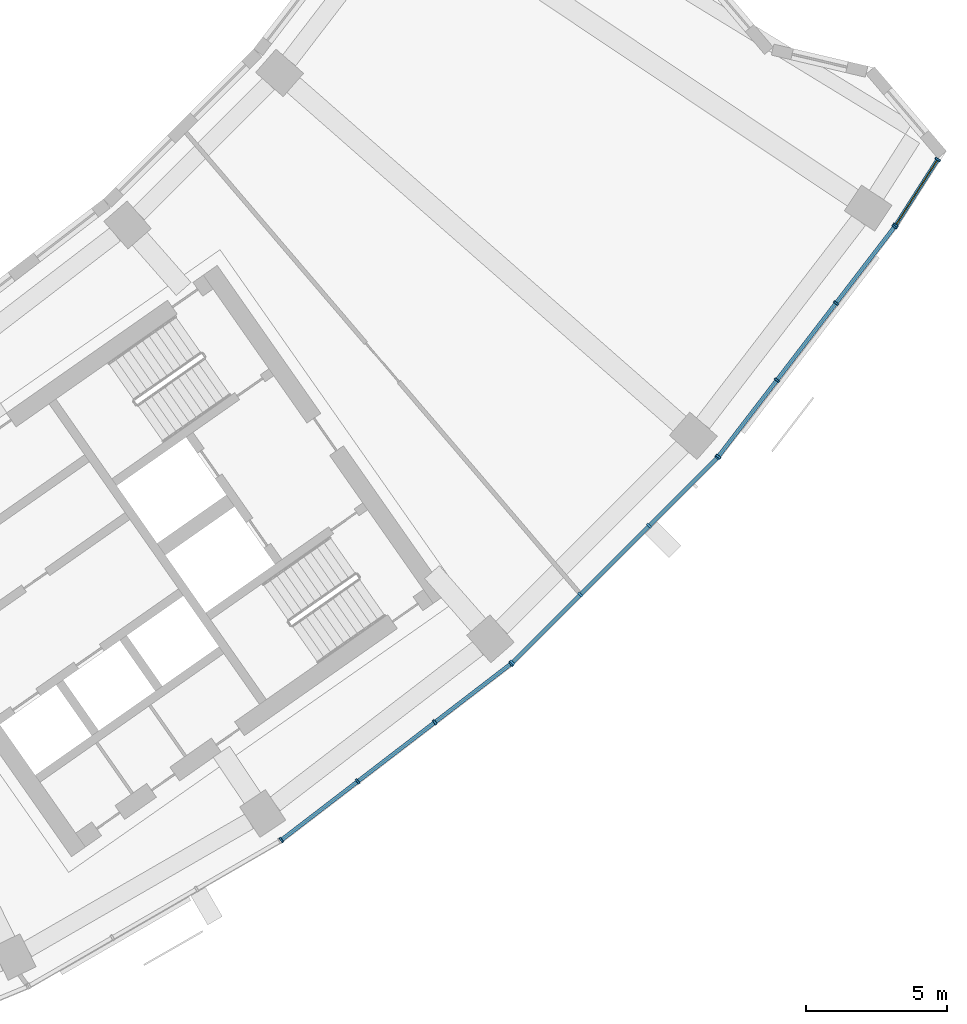
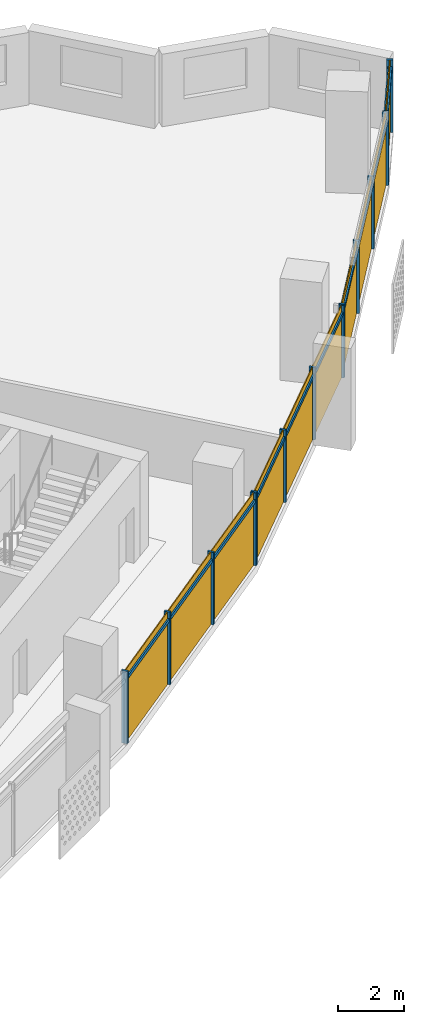
# One storey, part 22 of 26: 24 members, 4 curtain walls.
"""IFC4 building model written with IfcOpenShell, lengths in metres."""

from ifc_helpers import new_model, si_unit, direction, frame, origin, origin_2d, place, context, subcontext, project, spatial, rectangle, extrude, material, material_profile, profile_set, type_object, element, aggregate, save


model = new_model("IFC4")

# Units and contexts
model_context = context("Model", 3, precision=1e-05, world=origin(), true_north=direction((0.0, 1.0)))
body_context = subcontext(model_context, "Body", "Model", "MODEL_VIEW")
ifc_project = project(units=[si_unit("LENGTHUNIT", "METRE"), si_unit("AREAUNIT", "SQUARE_METRE"), si_unit("VOLUMEUNIT", "CUBIC_METRE"), si_unit("PLANEANGLEUNIT", "RADIAN"), si_unit("MASSUNIT", "GRAM", prefix="KILO")], contexts=[model_context])

# Member
ifc_material = material(Name="Aluminium 6063-T6 anodised", Category="aluminium")
ifc_material_profile_1 = material_profile(ifc_material, rectangle(XDim=0.199951171875, YDim=0.070068359375, at=origin_2d()))
ifc_profile_set_1 = profile_set([ifc_material_profile_1], Name="Aluminium 6063-T6 anodised")
member_type_1 = type_object("IfcMemberType", Name="Mullion 70 x 200 aluminium", PredefinedType="MULLION", material=ifc_profile_set_1)
site_placement = place(None, origin())
building_placement = place(site_placement, origin())
storey_placement = place(building_placement, frame((0.0, 0.0, 183.5)))
member_1_placement = place(storey_placement, frame((43.85693359375, -65.58544921875, 0.0), z_axis=(0.0, 0.0, 1.0), x_axis=(-0.608761429009, 0.793353340291, 0.0)))
member_1 = element("IfcMember", 1, at=member_1_placement, type_object=member_type_1, Name="e-cw1-L43-out12/M00", PredefinedType="MULLION", context=body_context, shape_type="SweptSolid", body=[
    extrude(rectangle(XDim=0.199951171875, YDim=0.070068359375, at=origin_2d()), origin(), (0.0, 0.0, 1.0), 2.699951171875),
])

member_2_placement = place(storey_placement, frame((46.56201171875, -63.509765625, 0.0), z_axis=(0.0, 0.0, 1.0), x_axis=(-0.608761429009, 0.793353340291, 0.0)))
member_2 = element("IfcMember", 2, at=member_2_placement, type_object=member_type_1, Name="e-cw1-L43-out12/M01", PredefinedType="MULLION", context=body_context, shape_type="SweptSolid", body=[
    extrude(rectangle(XDim=0.199951171875, YDim=0.070068359375, at=origin_2d()), origin(), (0.0, 0.0, 1.0), 2.699951171875),
])

member_3_placement = place(storey_placement, frame((49.294677734375, -61.412841796875, 0.0), z_axis=(0.0, 0.0, 1.0), x_axis=(-0.608761429009, 0.793353340291, 0.0)))
member_3 = element("IfcMember", 3, at=member_3_placement, type_object=member_type_1, Name="e-cw1-L43-out12/M02", PredefinedType="MULLION", context=body_context, shape_type="SweptSolid", body=[
    extrude(rectangle(XDim=0.199951171875, YDim=0.070068359375, at=origin_2d()), origin(), (0.0, 0.0, 1.0), 2.699951171875),
])

member_4_placement = place(storey_placement, frame((51.999755859375, -59.33740234375, 0.0), z_axis=(0.0, 0.0, 1.0), x_axis=(-0.608761429009, 0.793353340291, 0.0)))
member_4 = element("IfcMember", 4, at=member_4_placement, type_object=member_type_1, Name="e-cw1-L43-out12/M03", PredefinedType="MULLION", context=body_context, shape_type="SweptSolid", body=[
    extrude(rectangle(XDim=0.199951171875, YDim=0.070068359375, at=origin_2d()), origin(), (0.0, 0.0, 1.0), 2.699951171875),
])

member_5_placement = place(storey_placement, frame((52.042236328125, -59.2998046875, 0.0), z_axis=(0.0, 0.0, 1.0), x_axis=(-0.707106781187, 0.707106781187, 0.0)))
member_5 = element("IfcMember", 5, at=member_5_placement, type_object=member_type_1, Name="e-cw1-L43-out13/M00", PredefinedType="MULLION", context=body_context, shape_type="SweptSolid", body=[
    extrude(rectangle(XDim=0.199951171875, YDim=0.070068359375, at=origin_2d()), origin(), (0.0, 0.0, 1.0), 2.699951171875),
])

member_6_placement = place(storey_placement, frame((54.453369140625, -56.888916015625, 0.0), z_axis=(0.0, 0.0, 1.0), x_axis=(-0.707106781187, 0.707106781187, 0.0)))
member_6 = element("IfcMember", 6, at=member_6_placement, type_object=member_type_1, Name="e-cw1-L43-out13/M01", PredefinedType="MULLION", context=body_context, shape_type="SweptSolid", body=[
    extrude(rectangle(XDim=0.199951171875, YDim=0.070068359375, at=origin_2d()), origin(), (0.0, 0.0, 1.0), 2.699951171875),
])

member_7_placement = place(storey_placement, frame((56.888916015625, -54.453369140625, 0.0), z_axis=(0.0, 0.0, 1.0), x_axis=(-0.707106781187, 0.707106781187, 0.0)))
member_7 = element("IfcMember", 7, at=member_7_placement, type_object=member_type_1, Name="e-cw1-L43-out13/M02", PredefinedType="MULLION", context=body_context, shape_type="SweptSolid", body=[
    extrude(rectangle(XDim=0.199951171875, YDim=0.070068359375, at=origin_2d()), origin(), (0.0, 0.0, 1.0), 2.699951171875),
])

member_8_placement = place(storey_placement, frame((59.2998046875, -52.042236328125, 0.0), z_axis=(0.0, 0.0, 1.0), x_axis=(-0.707106781187, 0.707106781187, 0.0)))
member_8 = element("IfcMember", 8, at=member_8_placement, type_object=member_type_1, Name="e-cw1-L43-out13/M03", PredefinedType="MULLION", context=body_context, shape_type="SweptSolid", body=[
    extrude(rectangle(XDim=0.199951171875, YDim=0.070068359375, at=origin_2d()), origin(), (0.0, 0.0, 1.0), 2.699951171875),
])

member_9_placement = place(storey_placement, frame((59.33740234375, -51.999755859375, 0.0), z_axis=(0.0, 0.0, 1.0), x_axis=(-0.793353340291, 0.608761429009, 0.0)))
member_9 = element("IfcMember", 9, at=member_9_placement, type_object=member_type_1, Name="e-cw1-L43-out14/M00", PredefinedType="MULLION", context=body_context, shape_type="SweptSolid", body=[
    extrude(rectangle(XDim=0.199951171875, YDim=0.070068359375, at=origin_2d()), origin(), (0.0, 0.0, 1.0), 2.699951171875),
])

member_10_placement = place(storey_placement, frame((61.412841796875, -49.294677734375, 0.0), z_axis=(0.0, 0.0, 1.0), x_axis=(-0.793353340291, 0.608761429009, 0.0)))
member_10 = element("IfcMember", 10, at=member_10_placement, type_object=member_type_1, Name="e-cw1-L43-out14/M01", PredefinedType="MULLION", context=body_context, shape_type="SweptSolid", body=[
    extrude(rectangle(XDim=0.199951171875, YDim=0.070068359375, at=origin_2d()), origin(), (0.0, 0.0, 1.0), 2.699951171875),
])

member_11_placement = place(storey_placement, frame((63.509765625, -46.56201171875, 0.0), z_axis=(0.0, 0.0, 1.0), x_axis=(-0.793353340291, 0.608761429009, 0.0)))
member_11 = element("IfcMember", 11, at=member_11_placement, type_object=member_type_1, Name="e-cw1-L43-out14/M02", PredefinedType="MULLION", context=body_context, shape_type="SweptSolid", body=[
    extrude(rectangle(XDim=0.199951171875, YDim=0.070068359375, at=origin_2d()), origin(), (0.0, 0.0, 1.0), 2.699951171875),
])

member_12_placement = place(storey_placement, frame((65.58544921875, -43.85693359375, 0.0), z_axis=(0.0, 0.0, 1.0), x_axis=(-0.793353340291, 0.608761429009, 0.0)))
member_12 = element("IfcMember", 12, at=member_12_placement, type_object=member_type_1, Name="e-cw1-L43-out14/M03", PredefinedType="MULLION", context=body_context, shape_type="SweptSolid", body=[
    extrude(rectangle(XDim=0.199951171875, YDim=0.070068359375, at=origin_2d()), origin(), (0.0, 0.0, 1.0), 2.699951171875),
])

member_13_placement = place(storey_placement, frame((65.62060546875, -43.806640625, 0.0), z_axis=(0.0, 0.0, 1.0), x_axis=(-0.842628616007, 0.538495139706, 0.0)))
member_13 = element("IfcMember", 13, at=member_13_placement, type_object=member_type_1, Name="e-cw1-L43-out15/M00", PredefinedType="MULLION", context=body_context, shape_type="SweptSolid", body=[
    extrude(rectangle(XDim=0.199951171875, YDim=0.070068359375, at=origin_2d()), origin(), (0.0, 0.0, 1.0), 2.699951171875),
])

member_14_placement = place(storey_placement, frame((67.111083984375, -41.474609375, 0.0), z_axis=(0.0, 0.0, 1.0), x_axis=(-0.842628616007, 0.538495139706, 0.0)))
member_14 = element("IfcMember", 14, at=member_14_placement, type_object=member_type_1, Name="e-cw1-L43-out15/M01", PredefinedType="MULLION", context=body_context, shape_type="SweptSolid", body=[
    extrude(rectangle(XDim=0.199951171875, YDim=0.070068359375, at=origin_2d()), origin(), (0.0, 0.0, 1.0), 2.699951171875),
])

ifc_material_profile_2 = material_profile(ifc_material, rectangle(XDim=0.139892578125, YDim=0.1201171875, at=origin_2d()))
ifc_profile_set_2 = profile_set([ifc_material_profile_2], Name="Aluminium 6063-T6 anodised")
member_type_2 = type_object("IfcMemberType", Name="Transom 120 x 140 aluminium", PredefinedType="USERDEFINED", material=ifc_profile_set_2)
member_15_placement = place(storey_placement, frame((43.884765625, -65.564208984375, 2.39990234375), z_axis=(0.793354486861, 0.608759934767, 0.0), x_axis=(-0.608759934767, 0.793354486861, 0.0)))
member_15 = element("IfcMember", 15, at=member_15_placement, type_object=member_type_2, Name="e-cw1-L43-out12/T00", ObjectType="TRANSOM", PredefinedType="USERDEFINED", context=body_context, shape_type="SweptSolid", body=[
    extrude(rectangle(XDim=0.139892578125, YDim=0.1201171875, at=origin_2d()), origin(), (0.0, 0.0, 1.0), 3.339599609375),
])

member_16_placement = place(storey_placement, frame((46.589599609375, -63.488525390625, 2.39990234375), z_axis=(0.793371081522, 0.608738307489, 0.0), x_axis=(-0.608738307489, 0.793371081522, 0.0)))
member_16 = element("IfcMember", 16, at=member_16_placement, type_object=member_type_2, Name="e-cw1-L43-out12/T01", ObjectType="TRANSOM", PredefinedType="USERDEFINED", context=body_context, shape_type="SweptSolid", body=[
    extrude(rectangle(XDim=0.139892578125, YDim=0.1201171875, at=origin_2d()), origin(), (0.0, 0.0, 1.0), 3.37451171875),
])

member_17_placement = place(storey_placement, frame((49.322509765625, -61.3916015625, 2.39990234375), z_axis=(0.793354486861, 0.608759934767, 0.0), x_axis=(-0.608759934767, 0.793354486861, 0.0)))
member_17 = element("IfcMember", 17, at=member_17_placement, type_object=member_type_2, Name="e-cw1-L43-out12/T02", ObjectType="TRANSOM", PredefinedType="USERDEFINED", context=body_context, shape_type="SweptSolid", body=[
    extrude(rectangle(XDim=0.139892578125, YDim=0.1201171875, at=origin_2d()), origin(), (0.0, 0.0, 1.0), 3.339599609375),
])

member_18_placement = place(storey_placement, frame((52.067138671875, -59.275146484375, 2.39990234375), z_axis=(0.707106781187, 0.707106781187, 0.0), x_axis=(-0.707106781187, 0.707106781187, 0.0)))
member_18 = element("IfcMember", 18, at=member_18_placement, type_object=member_type_2, Name="e-cw1-L43-out13/T00", ObjectType="TRANSOM", PredefinedType="USERDEFINED", context=body_context, shape_type="SweptSolid", body=[
    extrude(rectangle(XDim=0.139892578125, YDim=0.1201171875, at=origin_2d()), origin(), (0.0, 0.0, 1.0), 3.33935546875),
])

member_19_placement = place(storey_placement, frame((54.47802734375, -56.8642578125, 2.39990234375), z_axis=(0.707106781187, 0.707106781187, 0.0), x_axis=(-0.707106781187, 0.707106781187, 0.0)))
member_19 = element("IfcMember", 19, at=member_19_placement, type_object=member_type_2, Name="e-cw1-L43-out13/T01", ObjectType="TRANSOM", PredefinedType="USERDEFINED", context=body_context, shape_type="SweptSolid", body=[
    extrude(rectangle(XDim=0.139892578125, YDim=0.1201171875, at=origin_2d()), origin(), (0.0, 0.0, 1.0), 3.374755859375),
])

member_20_placement = place(storey_placement, frame((56.913818359375, -54.428466796875, 2.39990234375), z_axis=(0.707106781187, 0.707106781187, 0.0), x_axis=(-0.707106781187, 0.707106781187, 0.0)))
member_20 = element("IfcMember", 20, at=member_20_placement, type_object=member_type_2, Name="e-cw1-L43-out13/T02", ObjectType="TRANSOM", PredefinedType="USERDEFINED", context=body_context, shape_type="SweptSolid", body=[
    extrude(rectangle(XDim=0.139892578125, YDim=0.1201171875, at=origin_2d()), origin(), (0.0, 0.0, 1.0), 3.33935546875),
])

member_21_placement = place(storey_placement, frame((59.358642578125, -51.971923828125, 2.39990234375), z_axis=(0.608759934767, 0.793354486861, 0.0), x_axis=(-0.793354486861, 0.608759934767, 0.0)))
member_21 = element("IfcMember", 21, at=member_21_placement, type_object=member_type_2, Name="e-cw1-L43-out14/T00", ObjectType="TRANSOM", PredefinedType="USERDEFINED", context=body_context, shape_type="SweptSolid", body=[
    extrude(rectangle(XDim=0.139892578125, YDim=0.1201171875, at=origin_2d()), origin(), (0.0, 0.0, 1.0), 3.339599609375),
])

member_22_placement = place(storey_placement, frame((61.434326171875, -49.266845703125, 2.39990234375), z_axis=(0.608738307489, 0.793371081522, 0.0), x_axis=(-0.793371081522, 0.608738307489, 0.0)))
member_22 = element("IfcMember", 22, at=member_22_placement, type_object=member_type_2, Name="e-cw1-L43-out14/T01", ObjectType="TRANSOM", PredefinedType="USERDEFINED", context=body_context, shape_type="SweptSolid", body=[
    extrude(rectangle(XDim=0.139892578125, YDim=0.1201171875, at=origin_2d()), origin(), (0.0, 0.0, 1.0), 3.37451171875),
])

member_23_placement = place(storey_placement, frame((63.53125, -46.5341796875, 2.39990234375), z_axis=(0.608759934767, 0.793354486861, 0.0), x_axis=(-0.793354486861, 0.608759934767, 0.0)))
member_23 = element("IfcMember", 23, at=member_23_placement, type_object=member_type_2, Name="e-cw1-L43-out14/T02", ObjectType="TRANSOM", PredefinedType="USERDEFINED", context=body_context, shape_type="SweptSolid", body=[
    extrude(rectangle(XDim=0.139892578125, YDim=0.1201171875, at=origin_2d()), origin(), (0.0, 0.0, 1.0), 3.339599609375),
])

member_24_placement = place(storey_placement, frame((65.6396484375, -43.777099609375, 2.39990234375), z_axis=(0.538514244673, 0.84261640637, 0.0), x_axis=(-0.84261640637, 0.538514244673, 0.0)))
member_24 = element("IfcMember", 24, at=member_24_placement, type_object=member_type_2, Name="e-cw1-L43-out15/T00", ObjectType="TRANSOM", PredefinedType="USERDEFINED", context=body_context, shape_type="SweptSolid", body=[
    extrude(rectangle(XDim=0.139892578125, YDim=0.1201171875, at=origin_2d()), origin(), (0.0, 0.0, 1.0), 2.697509765625),
])

# Site, building, storey
site = spatial("IfcSite", under=ifc_project, at=site_placement, CompositionType="ELEMENT")
building = spatial("IfcBuilding", under=site, at=building_placement, Name="Qamariyya Broadcast Tower", CompositionType="ELEMENT")
storey = spatial("IfcBuildingStorey", under=building, at=storey_placement, Name="L43", CompositionType="ELEMENT", Elevation=183.5)

# Curtain wall
curtain_wall_type = type_object("IfcCurtainWallType", Name="Unitised curtain wall, anodised aluminium", PredefinedType="NOTDEFINED", material=ifc_material)
curtain_wall_1_placement = place(storey_placement, origin())
curtain_wall_1 = element("IfcCurtainWall", 25, at=curtain_wall_1_placement, inside=storey, type_object=curtain_wall_type, Name="e-cw1-L43-out12", PredefinedType="NOTDEFINED", context=body_context, shape_type="SweptSolid", body=[
    extrude(rectangle(XDim=3.339599609375, YDim=0.031982421875, at=origin_2d()), frame((45.20947265625, -64.547607421875, 0.0), x_axis=(0.793351517557, 0.608763804434, 0.0)), (0.0, 0.0, 1.0), 2.340087890625),
    extrude(rectangle(XDim=3.339599609375, YDim=0.031982421875, at=origin_2d()), frame((45.20947265625, -64.547607421875, 2.4599609375), x_axis=(0.793351517557, 0.608763804434, 0.0)), (0.0, 0.0, 1.0), 0.239990234375),
    extrude(rectangle(XDim=3.37451171875, YDim=0.031982421875, at=origin_2d()), frame((47.92822265625, -62.46142578125, 0.0), x_axis=(0.793351517557, 0.608763804434, 0.0)), (0.0, 0.0, 1.0), 2.340087890625),
    extrude(rectangle(XDim=3.37451171875, YDim=0.031982421875, at=origin_2d()), frame((47.92822265625, -62.46142578125, 2.4599609375), x_axis=(0.793351517557, 0.608763804434, 0.0)), (0.0, 0.0, 1.0), 0.239990234375),
    extrude(rectangle(XDim=3.339599609375, YDim=0.031982421875, at=origin_2d()), frame((50.64697265625, -60.375, 0.0), x_axis=(0.793351517557, 0.608763804434, 0.0)), (0.0, 0.0, 1.0), 2.340087890625),
    extrude(rectangle(XDim=3.339599609375, YDim=0.031982421875, at=origin_2d()), frame((50.64697265625, -60.375, 2.4599609375), x_axis=(0.793351517557, 0.608763804434, 0.0)), (0.0, 0.0, 1.0), 0.239990234375),
])

aggregate(curtain_wall_1, [member_1, member_2, member_3, member_4, member_15, member_16, member_17])

curtain_wall_2_placement = place(storey_placement, origin())
curtain_wall_2 = element("IfcCurtainWall", 26, at=curtain_wall_2_placement, inside=storey, type_object=curtain_wall_type, Name="e-cw1-L43-out13", PredefinedType="NOTDEFINED", context=body_context, shape_type="SweptSolid", body=[
    extrude(rectangle(XDim=3.339599609375, YDim=0.031982421875, at=origin_2d()), frame((53.247802734375, -58.094482421875, 0.0), x_axis=(0.707106781187, 0.707106781187, 0.0)), (0.0, 0.0, 1.0), 2.340087890625),
    extrude(rectangle(XDim=3.339599609375, YDim=0.031982421875, at=origin_2d()), frame((53.247802734375, -58.094482421875, 2.4599609375), x_axis=(0.707106781187, 0.707106781187, 0.0)), (0.0, 0.0, 1.0), 0.239990234375),
    extrude(rectangle(XDim=3.37451171875, YDim=0.031982421875, at=origin_2d()), frame((55.671142578125, -55.671142578125, 0.0), x_axis=(0.707106781187, 0.707106781187, 0.0)), (0.0, 0.0, 1.0), 2.340087890625),
    extrude(rectangle(XDim=3.37451171875, YDim=0.031982421875, at=origin_2d()), frame((55.671142578125, -55.671142578125, 2.4599609375), x_axis=(0.707106781187, 0.707106781187, 0.0)), (0.0, 0.0, 1.0), 0.239990234375),
    extrude(rectangle(XDim=3.339599609375, YDim=0.031982421875, at=origin_2d()), frame((58.094482421875, -53.247802734375, 0.0), x_axis=(0.707106781187, 0.707106781187, 0.0)), (0.0, 0.0, 1.0), 2.340087890625),
    extrude(rectangle(XDim=3.339599609375, YDim=0.031982421875, at=origin_2d()), frame((58.094482421875, -53.247802734375, 2.4599609375), x_axis=(0.707106781187, 0.707106781187, 0.0)), (0.0, 0.0, 1.0), 0.239990234375),
])

aggregate(curtain_wall_2, [member_5, member_6, member_7, member_8, member_18, member_19, member_20])

curtain_wall_3_placement = place(storey_placement, origin())
curtain_wall_3 = element("IfcCurtainWall", 27, at=curtain_wall_3_placement, inside=storey, type_object=curtain_wall_type, Name="e-cw1-L43-out14", PredefinedType="NOTDEFINED", context=body_context, shape_type="SweptSolid", body=[
    extrude(rectangle(XDim=3.339599609375, YDim=0.031982421875, at=origin_2d()), frame((60.375, -50.64697265625, 0.0), x_axis=(0.608763804434, 0.793351517557, 0.0)), (0.0, 0.0, 1.0), 2.340087890625),
    extrude(rectangle(XDim=3.339599609375, YDim=0.031982421875, at=origin_2d()), frame((60.375, -50.64697265625, 2.4599609375), x_axis=(0.608763804434, 0.793351517557, 0.0)), (0.0, 0.0, 1.0), 0.239990234375),
    extrude(rectangle(XDim=3.37451171875, YDim=0.031982421875, at=origin_2d()), frame((62.46142578125, -47.92822265625, 0.0), x_axis=(0.608763804434, 0.793351517557, 0.0)), (0.0, 0.0, 1.0), 2.340087890625),
    extrude(rectangle(XDim=3.37451171875, YDim=0.031982421875, at=origin_2d()), frame((62.46142578125, -47.92822265625, 2.4599609375), x_axis=(0.608763804434, 0.793351517557, 0.0)), (0.0, 0.0, 1.0), 0.239990234375),
    extrude(rectangle(XDim=3.339599609375, YDim=0.031982421875, at=origin_2d()), frame((64.547607421875, -45.20947265625, 0.0), x_axis=(0.608763804434, 0.793351517557, 0.0)), (0.0, 0.0, 1.0), 2.340087890625),
    extrude(rectangle(XDim=3.339599609375, YDim=0.031982421875, at=origin_2d()), frame((64.547607421875, -45.20947265625, 2.4599609375), x_axis=(0.608763804434, 0.793351517557, 0.0)), (0.0, 0.0, 1.0), 0.239990234375),
])

aggregate(curtain_wall_3, [member_9, member_10, member_11, member_12, member_21, member_22, member_23])

curtain_wall_4_placement = place(storey_placement, origin())
curtain_wall_4 = element("IfcCurtainWall", 28, at=curtain_wall_4_placement, inside=storey, type_object=curtain_wall_type, Name="e-cw1-L43-out15", PredefinedType="NOTDEFINED", context=body_context, shape_type="SweptSolid", body=[
    extrude(rectangle(XDim=2.69775390625, YDim=0.031982421875, at=origin_2d()), frame((66.36572265625, -42.640625, 0.0), x_axis=(0.538494495168, 0.842629027908, 0.0)), (0.0, 0.0, 1.0), 2.340087890625),
    extrude(rectangle(XDim=2.69775390625, YDim=0.031982421875, at=origin_2d()), frame((66.36572265625, -42.640625, 2.4599609375), x_axis=(0.538494495168, 0.842629027908, 0.0)), (0.0, 0.0, 1.0), 0.239990234375),
])

aggregate(curtain_wall_4, [member_13, member_14, member_24])

save(model, "model.ifc")
